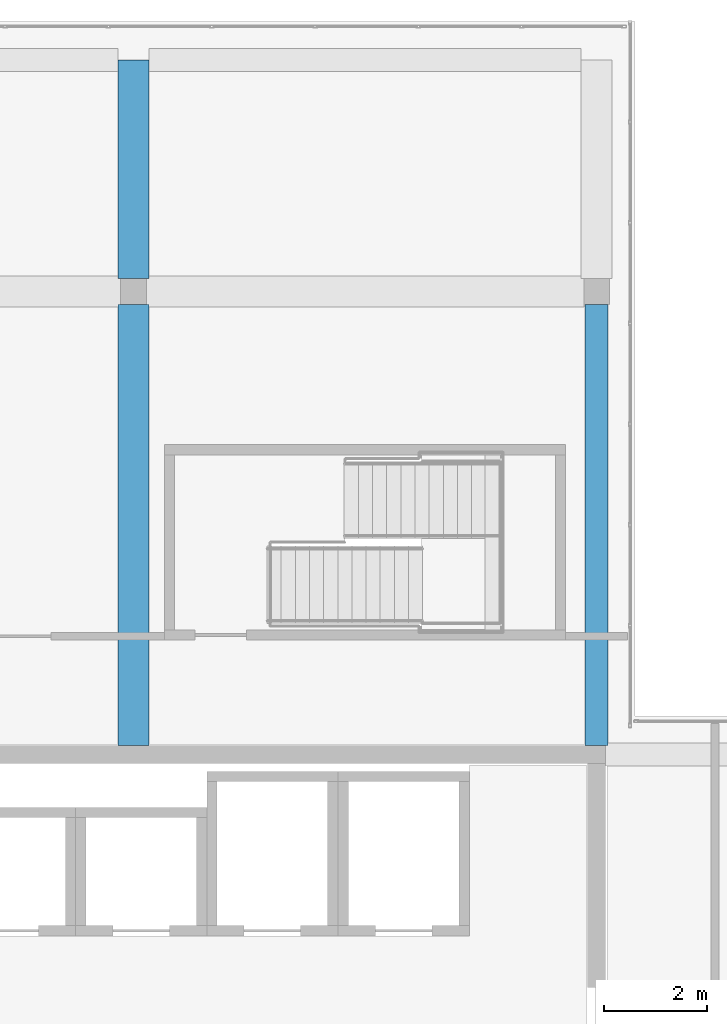
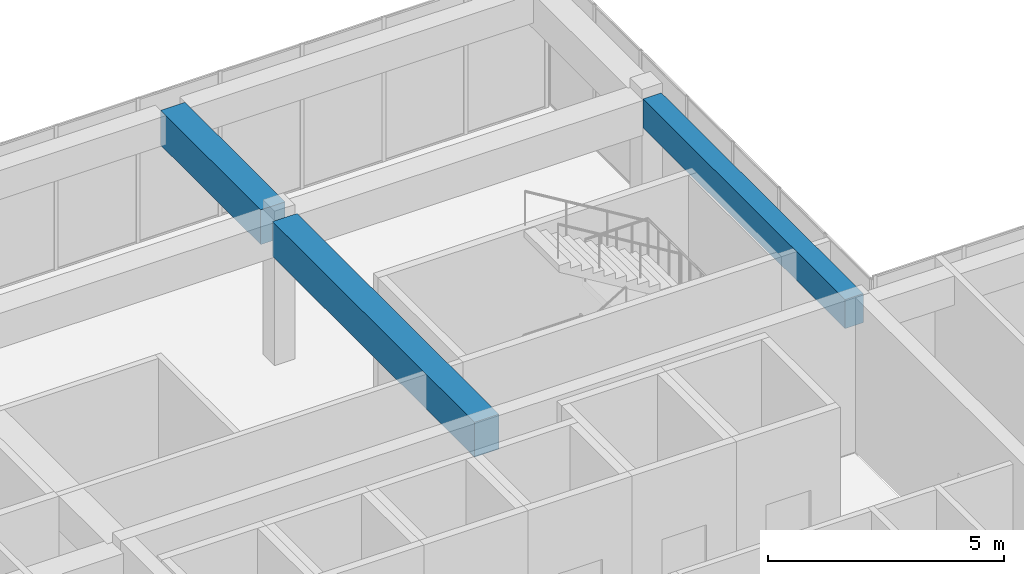
# One storey, part 23 of 34: 3 beams.
"""IFC4 building model written with IfcOpenShell, lengths in metres."""

from ifc_helpers import new_model, si_unit, direction, frame, origin, origin_2d, place, context, subcontext, project, spatial, rectangle, extrude, material, material_profile, profile_set, type_object, element, save


model = new_model("IFC4")

# Units and contexts
model_context = context("Model", 3, precision=1e-05, world=origin(), true_north=direction((0.0, 1.0)))
body_context = subcontext(model_context, "Body", "Model", "MODEL_VIEW")
ifc_project = project(units=[si_unit("LENGTHUNIT", "METRE"), si_unit("AREAUNIT", "SQUARE_METRE"), si_unit("VOLUMEUNIT", "CUBIC_METRE"), si_unit("PLANEANGLEUNIT", "RADIAN"), si_unit("MASSUNIT", "GRAM", prefix="KILO")], contexts=[model_context])

# Site, building, storey
site_placement = place(None, origin())
site = spatial("IfcSite", under=ifc_project, at=site_placement, CompositionType="ELEMENT")
building_placement = place(site_placement, origin())
building = spatial("IfcBuilding", under=site, at=building_placement, Name="Tuart Plaza Theatre", CompositionType="ELEMENT")
storey_placement = place(building_placement, frame((0.0, 0.0, 53.5)))
storey = spatial("IfcBuildingStorey", under=building, at=storey_placement, Name="L13", CompositionType="ELEMENT", Elevation=53.5)

# Beams
ifc_material_1 = material(Name="Concrete N40 (40 MPa)", Category="concrete")
ifc_material_profile_1 = material_profile(ifc_material_1, rectangle(XDim=0.449951171875, YDim=0.75, at=origin_2d()), Name="BEAM 450x750 Concrete N40 (40 MPa)")
ifc_profile_set_1 = profile_set([ifc_material_profile_1], Name="Concrete N40 (40 MPa)")
beam_type_1 = type_object("IfcBeamType", Name="BEAM 450x750 Concrete N40 (40 MPa)", PredefinedType="BEAM", material=ifc_profile_set_1)
beam_1_placement = place(storey_placement, frame((141.0, 83.175048828125, 3.375), z_axis=(0.0, 1.0, 0.0), x_axis=(-1.0, 0.0, 0.0)))
element("IfcBeam", 1, at=beam_1_placement, inside=storey, type_object=beam_type_1, Name="RB340", PredefinedType="BEAM", context=body_context, shape_type="SweptSolid", body=[
    extrude(rectangle(XDim=0.449951171875, YDim=0.75, at=origin_2d()), origin(), (0.0, 0.0, 1.0), 8.574951171875),
])
ifc_material_2 = material(Name="Concrete N40 (40 MPa)", Category="concrete")
ifc_material_profile_2 = material_profile(ifc_material_2, rectangle(XDim=0.60009765625, YDim=0.89990234375, at=origin_2d()), Name="BEAM 600x900 Concrete N40 (40 MPa)")
ifc_profile_set_2 = profile_set([ifc_material_profile_2], Name="Concrete N40 (40 MPa)")
beam_type_2 = type_object("IfcBeamType", Name="BEAM 600x900 Concrete N40 (40 MPa)", PredefinedType="BEAM", material=ifc_profile_set_2)
beam_2_placement = place(storey_placement, frame((132.0, 83.175048828125, 3.300048828125), z_axis=(0.0, 1.0, 0.0), x_axis=(-1.0, 0.0, 0.0)))
element("IfcBeam", 2, at=beam_2_placement, inside=storey, type_object=beam_type_2, Name="RB335", PredefinedType="BEAM", context=body_context, shape_type="SweptSolid", body=[
    extrude(rectangle(XDim=0.60009765625, YDim=0.89990234375, at=origin_2d()), origin(), (0.0, 0.0, 1.0), 8.574951171875),
])
beam_3_placement = place(storey_placement, frame((132.0, 92.25, 3.300048828125), z_axis=(0.0, 1.0, 0.0), x_axis=(-1.0, 0.0, 0.0)))
element("IfcBeam", 3, at=beam_3_placement, inside=storey, type_object=beam_type_2, Name="RB336", PredefinedType="BEAM", context=body_context, shape_type="SweptSolid", body=[
    extrude(rectangle(XDim=0.60009765625, YDim=0.89990234375, at=origin_2d()), origin(), (0.0, 0.0, 1.0), 4.25),
])

save(model, "model.ifc")
